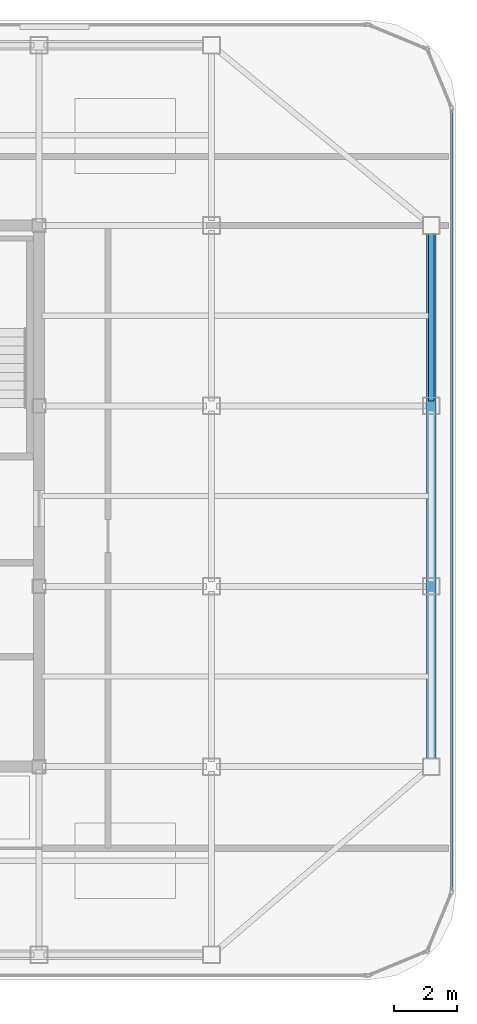
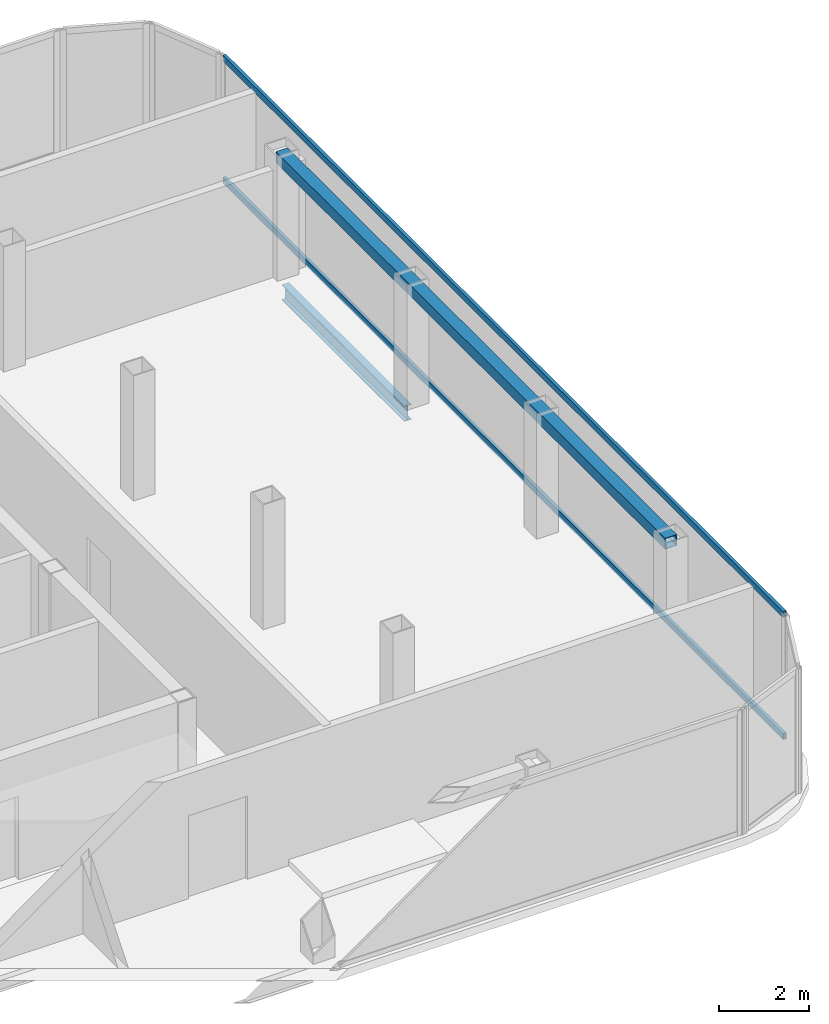
# One storey, part 7 of 11: 3 members, 1 beam, 1 element without a shape of its own.
"""IFC4 building model written with IfcOpenShell, lengths in metres."""

from ifc_helpers import new_model, si_unit, direction, frame, origin, origin_2d, place, context, subcontext, project, spatial, hollow_rectangle, i_section, extrude, source, transform, mapped, material, layer, layer_set, material_profile, profile_set, type_object, element, aggregate, save


model = new_model("IFC4")

# Units and contexts
model_context = context("Model", 3, precision=1e-05, world=origin(), true_north=direction((0.0, 1.0)))
body_context = subcontext(model_context, "Body", "Model", "MODEL_VIEW")
ifc_project = project(units=[si_unit("LENGTHUNIT", "METRE"), si_unit("AREAUNIT", "SQUARE_METRE"), si_unit("VOLUMEUNIT", "CUBIC_METRE"), si_unit("PLANEANGLEUNIT", "RADIAN"), si_unit("MASSUNIT", "GRAM", prefix="KILO")], contexts=[model_context])

# Site, building, storey
site_placement = place(None, origin())
site = spatial("IfcSite", under=ifc_project, at=site_placement, CompositionType="ELEMENT")
building_placement = place(site_placement, origin())
building = spatial("IfcBuilding", under=site, at=building_placement, Name="Kolveth Station Tower", CompositionType="ELEMENT")
storey_placement = place(building_placement, frame((0.0, 0.0, 278.5)))
storey = spatial("IfcBuildingStorey", under=building, at=storey_placement, Name="L80", CompositionType="ELEMENT", Elevation=278.5)

# Beam
ifc_material_1 = material(Name="Steel S355", Category="steel")
ifc_material_profile_1 = material_profile(ifc_material_1, i_section(OverallWidth=0.180908203125, OverallDepth=0.4169921875, WebThickness=0.010986328125, FlangeThickness=0.018310546875, at=origin_2d()), Name="W410x85")
ifc_profile_set_1 = profile_set([ifc_material_profile_1], Name="Steel S355")
beam_type = type_object("IfcBeamType", Name="Beam_B8", PredefinedType="BEAM", material=ifc_profile_set_1)
shared_shape_1 = source(origin(), body_context, "Body", "SweptSolid", [
    extrude(i_section(OverallWidth=0.180908203125, OverallDepth=0.4169921875, WebThickness=0.010986328125, FlangeThickness=0.018310546875, at=origin_2d()), origin(), (0.0, 0.0, 1.0), 5.43017578125),
])
beam_placement = place(storey_placement, frame((41.0, 23.159912109375, -0.428466796875), z_axis=(0.0, 1.0, 0.0), x_axis=(-1.0, 0.0, 0.0)))
element("IfcBeam", 1, at=beam_placement, inside=storey, type_object=beam_type, Name="L80 Perimeter Spandrel BM-L80-PE-3", PredefinedType="BEAM", context=body_context, shape_type="MappedRepresentation", body=[
    mapped(shared_shape_1, transform((0.0, 0.0, 0.0), x_axis=(1.0, 0.0, 0.0), y_axis=(0.0, 1.0, 0.0), z_axis=(0.0, 0.0, 1.0), scale=1.0)),
])

# Member
ifc_material_profile_2 = material_profile(ifc_material_1, hollow_rectangle(XDim=0.300048828125, YDim=0.300048828125, WallThickness=0.01611328125, at=origin_2d()), Name="CROWN-HSS300x300x16")
ifc_profile_set_2 = profile_set([ifc_material_profile_2], Name="Steel S355")
member_type_1 = type_object("IfcMemberType", Name="Mem_CF1", PredefinedType="CHORD", material=ifc_profile_set_2)
shared_shape_2 = source(origin(), body_context, "Body", "SweptSolid", [
    extrude(hollow_rectangle(XDim=0.300048828125, YDim=0.300048828125, WallThickness=0.01611328125, at=origin_2d()), origin(), (0.0, 0.0, 1.0), 17.25),
])
member_1_placement = place(storey_placement, frame((41.0, 11.5, 3.14990234375), z_axis=(0.0, 1.0, 0.0), x_axis=(-1.0, 0.0, 0.0)))
element("IfcMember", 2, at=member_1_placement, inside=storey, type_object=member_type_1, Name="L80 Crown Frame Ring Chord 4", PredefinedType="CHORD", context=body_context, shape_type="MappedRepresentation", body=[
    mapped(shared_shape_2, transform((0.0, 0.0, 0.0), x_axis=(1.0, 0.0, 0.0), y_axis=(0.0, 1.0, 0.0), z_axis=(0.0, 0.0, 1.0), scale=1.0)),
])

# Curtain wall, members
ifc_material_2 = material(Name="Black anodized aluminium 6063-T6 and dark crown glass", Category="aluminium")
ifc_layer = layer(ifc_material_2, 0.169921875)
ifc_layer_set = layer_set([ifc_layer], Name="Black anodized aluminium 6063-T6 and dark crown glass")
curtain_wall_type = type_object("IfcCurtainWallType", Name="CurtainWall_CW-CR", PredefinedType="NOTDEFINED", material=ifc_layer_set)
curtain_wall_placement = place(storey_placement, origin())
curtain_wall = element("IfcCurtainWall", 3, at=curtain_wall_placement, inside=storey, type_object=curtain_wall_type, Name="L80 Stepped Crown Curtain Wall 3", PredefinedType="NOTDEFINED")
ifc_material_3 = material(Name="Black anodized aluminium 6063-T6", Category="aluminium")
ifc_material_profile_3 = material_profile(ifc_material_3, hollow_rectangle(XDim=0.080078125, YDim=0.1650390625, WallThickness=0.0048828125, at=origin_2d()), Name="ALU-80x165x5")
ifc_profile_set_3 = profile_set([ifc_material_profile_3], Name="Black anodized aluminium 6063-T6")
member_type_2 = type_object("IfcMemberType", Name="Transom_TR-CR", PredefinedType="USERDEFINED", material=ifc_profile_set_3)
shared_shape_3 = source(origin(), body_context, "Body", "SweptSolid", [
    extrude(hollow_rectangle(XDim=0.080078125, YDim=0.1650390625, WallThickness=0.0048828125, at=origin_2d()), origin(), (0.0, 0.0, 1.0), 24.830078125),
])
member_2_placement = place(storey_placement, frame((41.64990234375, 7.5849609375, 0.0400390625), z_axis=(0.0, 1.0, 0.0), x_axis=(-1.0, 0.0, 0.0)))
member_2 = element("IfcMember", 4, at=member_2_placement, type_object=member_type_2, Name="CW-CR transom 1.1", ObjectType="TRANSOM", PredefinedType="USERDEFINED", context=body_context, shape_type="MappedRepresentation", body=[
    mapped(shared_shape_3, transform((0.0, 0.0, 0.0), x_axis=(1.0, 0.0, 0.0), y_axis=(0.0, 1.0, 0.0), z_axis=(0.0, 0.0, 1.0), scale=1.0)),
])
member_3_placement = place(storey_placement, frame((41.64990234375, 7.5849609375, 3.340087890625), z_axis=(0.0, 1.0, 0.0), x_axis=(-1.0, 0.0, 0.0)))
member_3 = element("IfcMember", 5, at=member_3_placement, type_object=member_type_2, Name="CW-CR transom 1.2", ObjectType="TRANSOM", PredefinedType="USERDEFINED", context=body_context, shape_type="MappedRepresentation", body=[
    mapped(shared_shape_3, transform((0.0, 0.0, 0.0), x_axis=(1.0, 0.0, 0.0), y_axis=(0.0, 1.0, 0.0), z_axis=(0.0, 0.0, 1.0), scale=1.0)),
])
aggregate(curtain_wall, [member_2, member_3])

save(model, "model.ifc")
